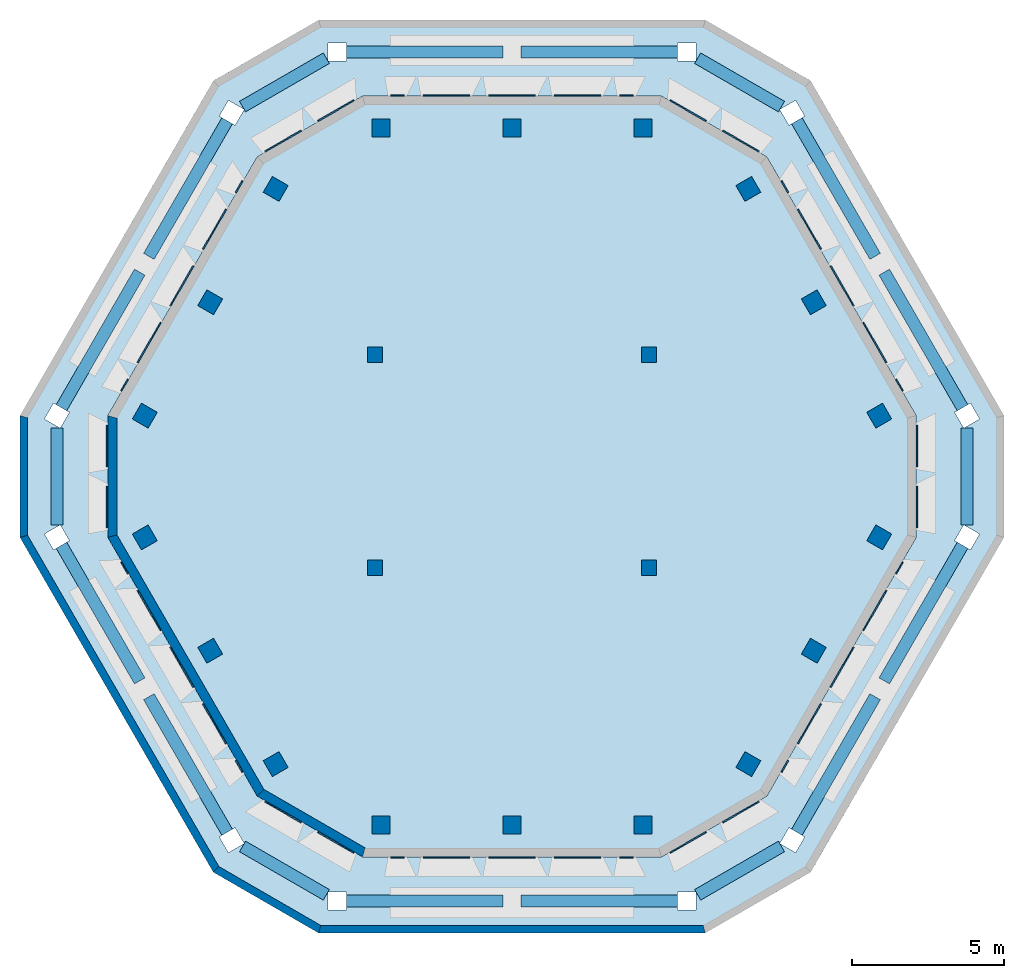
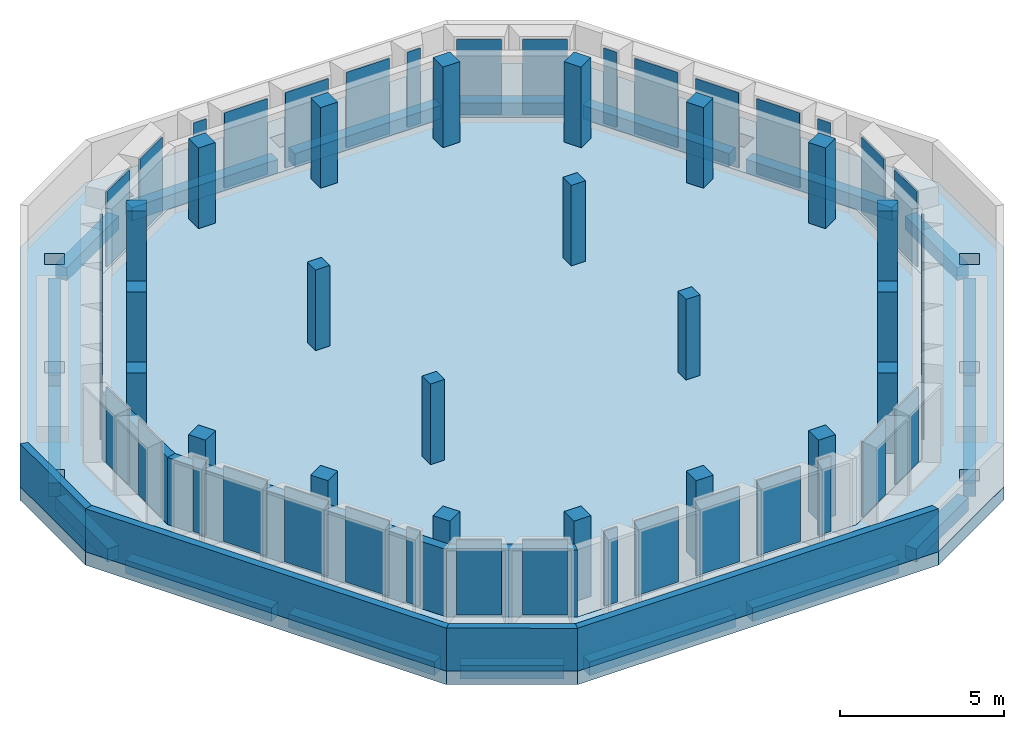
# One storey, part 1 of 4: 42 plates, 22 columns, 18 beams, 7 walls, 2 slabs.
"""IFC4 building model written with IfcOpenShell, lengths in metres."""

import ifcopenshell
import ifcopenshell.guid

model = None  # the IFC model being written
_history = None  # IfcOwnerHistory: only IFC2X3 demands one
_inside = {}  # id of a spatial element -> (the spatial element, [elements in it])
_under = {}  # id of a project, library or spatial element -> (it, [spatial elements below it])
_declared = {}  # id of a project -> (the project, [libraries it declares])
_typed = {}  # id of a type object -> (the type object, [elements of that type])
_made_of = {}  # id of a material, layer set ... -> (it, [elements and type objects made of it])


def new_model(schema):
    """Start an empty IFC model of exactly this schema.

    Asked for "IFC4X3", IfcOpenShell would pick the latest addendum, in which some entities
    have other attributes; the version numbers below select the first issue.
    IFC2X3 requires an IfcOwnerHistory on every rooted entity: one is made here for all.
    """
    global model, _history
    if schema == "IFC4X3":
        model = ifcopenshell.file(schema_version=(4, 3, 0, 0))
    else:
        model = ifcopenshell.file(schema=schema)
    _inside.clear()
    _under.clear()
    _declared.clear()
    _typed.clear()
    _made_of.clear()
    _history = None
    if model.schema == "IFC2X3":
        org = make("IfcOrganization", Name="unknown")
        user = make(
            "IfcPersonAndOrganization",
            ThePerson=make("IfcPerson", FamilyName="unknown"),
            TheOrganization=org,
        )
        app = make(
            "IfcApplication",
            ApplicationDeveloper=org,
            Version="unknown",
            ApplicationFullName="unknown",
            ApplicationIdentifier="unknown",
        )
        _history = make(
            "IfcOwnerHistory",
            OwningUser=user,
            OwningApplication=app,
            ChangeAction="ADDED",
            CreationDate=0,
        )
    return model


def make(cls, **values):
    """One entity of the class cls with the attributes given. An attribute that is None is left unset."""
    return model.create_entity(
        cls, **{name: value for name, value in values.items() if value is not None}
    )


def rooted(cls, **values):
    """An entity with a GlobalId (a new one), such as an element, a storey or a relation."""
    return make(cls, GlobalId=ifcopenshell.guid.new(), OwnerHistory=_history, **values)


def si_unit(unit_type, name, prefix=None):
    """IfcSIUnit, for example si_unit("LENGTHUNIT", "METRE", prefix="MILLI")."""
    return make("IfcSIUnit", UnitType=unit_type, Prefix=prefix, Name=name)


def assignment(units):
    """IfcUnitAssignment: the units of a project."""
    return None if units is None else make("IfcUnitAssignment", Units=units)


def point(xyz):
    """IfcCartesianPoint."""
    return None if xyz is None else make("IfcCartesianPoint", Coordinates=xyz)


def direction(xyz):
    """IfcDirection."""
    return None if xyz is None else make("IfcDirection", DirectionRatios=xyz)


def frame(location, z_axis=None, x_axis=None):
    """IfcAxis2Placement3D, a coordinate frame: its origin and axes. An axis left out is left unset."""
    return make(
        "IfcAxis2Placement3D",
        Location=point(location),
        Axis=direction(z_axis),
        RefDirection=direction(x_axis),
    )


def frame_2d(location, x_axis=None):
    """IfcAxis2Placement2D, a coordinate frame in the plane: its origin and x axis."""
    return make(
        "IfcAxis2Placement2D", Location=point(location), RefDirection=direction(x_axis)
    )


def origin():
    """The frame at (0, 0, 0) with its axes left unset."""
    return frame((0.0, 0.0, 0.0))


def origin_2d():
    """The frame at (0, 0) in the plane with its x axis left unset."""
    return frame_2d((0.0, 0.0))


def place(relative_to, where):
    """IfcLocalPlacement: puts the frame where relative to a parent placement (None: the world)."""
    return make(
        "IfcLocalPlacement", PlacementRelTo=relative_to, RelativePlacement=where
    )


def context(
    kind, dimensions, precision=None, world=None, true_north=None, identifier=None
):
    """IfcGeometricRepresentationContext, for example the 3D "Model" context."""
    return make(
        "IfcGeometricRepresentationContext",
        ContextIdentifier=identifier,
        ContextType=kind,
        CoordinateSpaceDimension=dimensions,
        Precision=precision,
        WorldCoordinateSystem=world,
        TrueNorth=true_north,
    )


def subcontext(parent, identifier, kind, view, scale=None):
    """IfcGeometricRepresentationSubContext, for example "Body" below "Model"."""
    return make(
        "IfcGeometricRepresentationSubContext",
        ContextIdentifier=identifier,
        ContextType=kind,
        ParentContext=parent,
        TargetScale=scale,
        TargetView=view,
    )


def project(units=None, contexts=None):
    """IfcProject with its units and contexts."""
    return rooted(
        "IfcProject",
        Name="project",
        RepresentationContexts=contexts,
        UnitsInContext=assignment(units),
    )


def spatial(cls, under=None, at=None, **own):
    """A site, building, storey or space (cls), placed at a placement, below another one or the project."""
    s = rooted(cls, ObjectPlacement=at, **own)
    if under is not None:
        _under.setdefault(under.id(), (under, []))[1].append(s)
    return s


def polyline(points):
    """IfcPolyline through the points."""
    return make("IfcPolyline", Points=[point(p) for p in points])


def profile(cls, at=None, kind="AREA", **sizes):
    """A parametric profile (cls). Its sizes go by their IFC names, for example OverallWidth=200.0."""
    return make(cls, ProfileType=kind, Position=at, **sizes)


def rectangle(**sizes):
    """IfcRectangleProfileDef."""
    return profile("IfcRectangleProfileDef", **sizes)


def outline(outer, holes=None, kind="AREA"):
    """IfcArbitraryClosedProfileDef: a profile drawn as a closed curve; with holes, ...WithVoids."""
    if holes is None:
        return make("IfcArbitraryClosedProfileDef", ProfileType=kind, OuterCurve=outer)
    return make(
        "IfcArbitraryProfileDefWithVoids",
        ProfileType=kind,
        OuterCurve=outer,
        InnerCurves=holes,
    )


def extrude(swept, where, along, depth):
    """IfcExtrudedAreaSolid: the profile swept, set in the frame where, extruded along a direction by depth."""
    return make(
        "IfcExtrudedAreaSolid",
        SweptArea=swept,
        Position=where,
        ExtrudedDirection=direction(along),
        Depth=depth,
    )


def shape(context_of_items, identifier, shape_type, items):
    """IfcShapeRepresentation: the items that make up one representation, for example the "Body"."""
    return make(
        "IfcShapeRepresentation",
        ContextOfItems=context_of_items,
        RepresentationIdentifier=identifier,
        RepresentationType=shape_type,
        Items=items,
    )


def source(mapping_origin, context_of_items, identifier, shape_type, items):
    """IfcRepresentationMap: a shape defined once, which mapped items show again and again."""
    return make(
        "IfcRepresentationMap",
        MappingOrigin=mapping_origin,
        MappedRepresentation=shape(context_of_items, identifier, shape_type, items),
    )


def transform(
    local_origin,
    x_axis=None,
    y_axis=None,
    z_axis=None,
    scale=None,
    scale2=None,
    scale3=None,
    uniform=True,
):
    """IfcCartesianTransformationOperator3D, or its non-uniform kind. x_axis, y_axis, z_axis: its Axis1, 2, 3."""
    if uniform:
        return make(
            "IfcCartesianTransformationOperator3D",
            Axis1=direction(x_axis),
            Axis2=direction(y_axis),
            LocalOrigin=point(local_origin),
            Scale=scale,
            Axis3=direction(z_axis),
        )
    return make(
        "IfcCartesianTransformationOperator3DnonUniform",
        Axis1=direction(x_axis),
        Axis2=direction(y_axis),
        LocalOrigin=point(local_origin),
        Scale=scale,
        Axis3=direction(z_axis),
        Scale2=scale2,
        Scale3=scale3,
    )


def mapped(mapping_source, mapping_target):
    """IfcMappedItem: shows the shape of a source again, moved by a transform."""
    return make(
        "IfcMappedItem", MappingSource=mapping_source, MappingTarget=mapping_target
    )


def material(Name=None, Category=None):
    """IfcMaterial."""
    return make("IfcMaterial", Name=Name, Category=Category)


def layer(
    of_material, thickness, ventilated=None, Name=None, Category=None, Priority=None
):
    """IfcMaterialLayer: one layer of a wall or slab, of a material (None: an air gap)."""
    return make(
        "IfcMaterialLayer",
        Material=of_material,
        LayerThickness=thickness,
        IsVentilated=ventilated,
        Name=Name,
        Category=Category,
        Priority=Priority,
    )


def layer_set(layers, Name=None):
    """IfcMaterialLayerSet."""
    return make("IfcMaterialLayerSet", MaterialLayers=layers, LayerSetName=Name)


def material_profile(
    of_material, cross_section, Name=None, Category=None, Priority=None
):
    """IfcMaterialProfile: a cross section and its material."""
    return make(
        "IfcMaterialProfile",
        Name=Name,
        Material=of_material,
        Profile=cross_section,
        Priority=Priority,
        Category=Category,
    )


def profile_set(profiles, Name=None, composite=None):
    """IfcMaterialProfileSet."""
    return make(
        "IfcMaterialProfileSet",
        Name=Name,
        MaterialProfiles=profiles,
        CompositeProfile=composite,
    )


def made_of(thing, what):
    """Note that an element or type object is made of a material, layer set ...; save() writes the relation."""
    if what is not None:
        _made_of.setdefault(what.id(), (what, []))[1].append(thing)
    return thing


def type_object(cls, material=None, **own):
    """A type object (cls), such as IfcWallType, which elements share."""
    return made_of(rooted(cls, **own), material)


def type_shapes(of_type, sources):
    """Give a type object the sources (RepresentationMaps) that its elements show as mapped items."""
    of_type.RepresentationMaps = sources


def element(
    cls,
    number,
    at=None,
    inside=None,
    cuts=None,
    type_object=None,
    material=None,
    context=None,
    identifier="Body",
    shape_type=None,
    held_by="IfcProductDefinitionShape",
    body=None,
    shapes=None,
    **own,
):
    """One element of the class cls, such as IfcWall. Its Tag is "e" and its number.

    at: its placement. inside: the storey or other place that contains it. cuts: it is an
    opening in that element (IfcRelVoidsElement). A single representation is given by context,
    identifier, shape_type and body (its items); several are given by shapes. held_by: the class
    of the entity that holds the representations. save() writes the other relations.
    """
    e = rooted(cls, Tag="e%d" % number, ObjectPlacement=at, **own)
    if body is not None:
        shapes = [shape(context, identifier, shape_type, body)]
    if shapes is not None:
        e.Representation = make(held_by, Representations=shapes)
    if inside is not None:
        _inside.setdefault(inside.id(), (inside, []))[1].append(e)
    if cuts is not None:
        rooted(
            "IfcRelVoidsElement", RelatingBuildingElement=cuts, RelatedOpeningElement=e
        )
    if type_object is not None:
        _typed.setdefault(type_object.id(), (type_object, []))[1].append(e)
    return made_of(e, material)


def aggregate(whole, parts):
    """IfcRelAggregates: a whole, such as a stair, and the parts it consists of."""
    return rooted("IfcRelAggregates", RelatingObject=whole, RelatedObjects=parts)


def save(model, path):
    """Write the relations noted so far, then the file.

    IfcRelAggregates (storeys below a building ...), IfcRelContainedInSpatialStructure (elements
    in a storey), IfcRelDefinesByType, IfcRelAssociatesMaterial and IfcRelDeclares: one each for
    every whole, place, type object, material and project.
    """
    for whole, parts in _under.values():
        aggregate(whole, parts)
    for where, things in _inside.values():
        rooted(
            "IfcRelContainedInSpatialStructure",
            RelatedElements=things,
            RelatingStructure=where,
        )
    for kind, things in _typed.values():
        rooted("IfcRelDefinesByType", RelatedObjects=things, RelatingType=kind)
    for what, things in _made_of.values():
        rooted("IfcRelAssociatesMaterial", RelatedObjects=things, RelatingMaterial=what)
    for by, libraries in _declared.values():
        rooted("IfcRelDeclares", RelatingContext=by, RelatedDefinitions=libraries)
    model.write(path)


model = new_model("IFC4")

# Units and contexts
model_context = context("Model", 3, precision=1e-05, world=origin(), true_north=direction((0.0, 1.0)))
body_context = subcontext(model_context, "Body", "Model", "MODEL_VIEW")
ifc_project = project(units=[si_unit("LENGTHUNIT", "METRE"), si_unit("AREAUNIT", "SQUARE_METRE"), si_unit("VOLUMEUNIT", "CUBIC_METRE"), si_unit("PLANEANGLEUNIT", "RADIAN"), si_unit("MASSUNIT", "GRAM", prefix="KILO")], contexts=[model_context])

# Site, building, storey
site_placement = place(None, origin())
site = spatial("IfcSite", under=ifc_project, at=site_placement, CompositionType="ELEMENT")
building_placement = place(site_placement, origin())
building = spatial("IfcBuilding", under=site, at=building_placement, Name="Beryl Residences", CompositionType="ELEMENT")
storey_placement = place(building_placement, frame((0.0, 0.0, 253.800048828125)))
storey = spatial("IfcBuildingStorey", under=building, at=storey_placement, Name="L79", CompositionType="ELEMENT", Elevation=253.800048828125)

# Columns
ifc_material_1 = material(Name="Concrete C50/60", Category="concrete")
ifc_material_profile_1 = material_profile(ifc_material_1, rectangle(XDim=0.60009765625, YDim=0.60009765625, at=origin_2d()))
ifc_profile_set_1 = profile_set([ifc_material_profile_1], Name="Concrete C50/60")
column_type_1 = type_object("IfcColumnType", Name="C6 tube column 600 x 600 C50/60", PredefinedType="COLUMN", material=ifc_profile_set_1)
for number, where, z_axis, x_axis, name in (
    (1, (4.302001953125, 11.449951171875, 0.0), (0.0, 0.0, 1.0), (-1.0, 0.0, 0.0), "C6-N1 L79"),
    (2, (0.0, 11.449951171875, 0.0), (0.0, 0.0, 1.0), (-1.0, 0.0, 0.0), "C6-N2 L79"),
    (3, (-4.302001953125, 11.449951171875, 0.0), (0.0, 0.0, 1.0), (-1.0, 0.0, 0.0), "C6-N3 L79"),
    (4, (-7.764892578125, 9.449951171875, 0.0), (0.0, 0.0, 1.0), (-0.5, -0.866025403784, 0.0), "C6-NW1 L79"),
    (5, (-9.916015625, 5.72509765625, 0.0), (0.0, 0.0, 1.0), (-0.5, -0.866025403784, 0.0), "C6-NW2 L79"),
    (6, (-12.06591796875, 2.0, 0.0), (0.0, 0.0, 1.0), (-0.5, -0.866025403784, 0.0), "C6-NW3 L79"),
    (7, (-12.06591796875, -2.0, 0.0), (0.0, 0.0, 1.0), (0.5, -0.866025403784, 0.0), "C6-SW1 L79"),
    (8, (-9.916015625, -5.72509765625, 0.0), (0.0, 0.0, 1.0), (0.5, -0.866025403784, 0.0), "C6-SW2 L79"),
    (9, (-7.764892578125, -9.449951171875, 0.0), (0.0, 0.0, 1.0), (0.5, -0.866025403784, 0.0), "C6-SW3 L79"),
    (10, (-4.302001953125, -11.449951171875, 0.0), (0.0, 0.0, 1.0), (1.0, 0.0, 0.0), "C6-S1 L79"),
    (11, (0.0, -11.449951171875, 0.0), (0.0, 0.0, 1.0), (1.0, 0.0, 0.0), "C6-S2 L79"),
    (12, (4.302001953125, -11.449951171875, 0.0), (0.0, 0.0, 1.0), (1.0, 0.0, 0.0), "C6-S3 L79"),
    (13, (7.764892578125, -9.449951171875, 0.0), (0.0, 0.0, 1.0), (0.5, 0.866025403784, 0.0), "C6-SE1 L79"),
    (14, (9.916015625, -5.72509765625, 0.0), (0.0, 0.0, 1.0), (0.5, 0.866025403784, 0.0), "C6-SE2 L79"),
    (15, (12.06591796875, -2.0, 0.0), (0.0, 0.0, 1.0), (0.5, 0.866025403784, 0.0), "C6-SE3 L79"),
    (16, (12.06591796875, 2.0, 0.0), (0.0, 0.0, 1.0), (-0.5, 0.866025403784, 0.0), "C6-NE1 L79"),
    (17, (9.916015625, 5.72509765625, 0.0), (0.0, 0.0, 1.0), (-0.5, 0.866025403784, 0.0), "C6-NE2 L79"),
    (18, (7.764892578125, 9.449951171875, 0.0), (0.0, 0.0, 1.0), (-0.5, 0.866025403784, 0.0), "C6-NE3 L79"),
):
    element("IfcColumn", number, at=place(storey_placement, frame(where, z_axis=z_axis, x_axis=x_axis)), inside=storey, type_object=column_type_1, Name=name, PredefinedType="COLUMN", context=body_context, shape_type="SweptSolid", body=[
        extrude(rectangle(XDim=0.60009765625, YDim=0.60009765625, at=origin_2d()), origin(), (0.0, 0.0, 1.0), 3.0),
    ])
ifc_material_2 = material(Name="Concrete C50/60", Category="concrete")
ifc_material_profile_2 = material_profile(ifc_material_2, rectangle(XDim=0.5, YDim=0.5, at=origin_2d()))
ifc_profile_set_2 = profile_set([ifc_material_profile_2], Name="Concrete C50/60")
column_type_2 = type_object("IfcColumnType", Name="IC6 interior column 500 x 500 C50/60", PredefinedType="COLUMN", material=ifc_profile_set_2)
for number, where, z_axis, x_axis, name in (
    (19, (-4.5, 4.0, 0.0), (0.0, 0.0, 1.0), (1.0, 0.0, 0.0), "IC6-K1 L79"),
    (20, (4.5, 4.0, 0.0), (0.0, 0.0, 1.0), (1.0, 0.0, 0.0), "IC6-K2 L79"),
    (21, (-4.5, -3.0, 0.0), (0.0, 0.0, 1.0), (1.0, 0.0, 0.0), "IC6-K3 L79"),
    (22, (4.5, -3.0, 0.0), (0.0, 0.0, 1.0), (1.0, 0.0, 0.0), "IC6-K4 L79"),
):
    element("IfcColumn", number, at=place(storey_placement, frame(where, z_axis=z_axis, x_axis=x_axis)), inside=storey, type_object=column_type_2, Name=name, PredefinedType="COLUMN", context=body_context, shape_type="SweptSolid", body=[
        extrude(rectangle(XDim=0.5, YDim=0.5, at=origin_2d()), origin(), (0.0, 0.0, 1.0), 3.0),
    ])

# Beams
ifc_material_3 = material(Name="Concrete C50/60", Category="concrete")
ifc_material_profile_3 = material_profile(ifc_material_3, rectangle(XDim=0.39990234375, YDim=0.5, at=origin_2d()))
ifc_profile_set_3 = profile_set([ifc_material_profile_3], Name="Concrete C50/60")
beam_type = type_object("IfcBeamType", Name="SB6 spandrel beam 400 x 500 C50/60", PredefinedType="SPANDREL", material=ifc_profile_set_3)
for number, where, z_axis, x_axis, name in (
    (23, (5.445068359375, 13.949951171875, -0.75), (-1.0, 0.0, 0.0), (0.0, -1.0, 0.0), "SB6 L79 N-0"),
    (24, (-0.300048828125, 13.949951171875, -0.75), (-1.0, 0.0, 0.0), (0.0, -1.0, 0.0), "SB6 L79 N-1"),
):
    element("IfcBeam", number, at=place(storey_placement, frame(where, z_axis=z_axis, x_axis=x_axis)), inside=storey, type_object=beam_type, Name=name, PredefinedType="SPANDREL", context=body_context, shape_type="SweptSolid", body=[
        extrude(rectangle(XDim=0.39990234375, YDim=0.5, at=origin_2d()), origin(), (0.0, 0.0, 1.0), 5.14501953125),
    ])
beam_1_placement = place(storey_placement, frame((-6.10009765625, 13.7451171875, -0.75), z_axis=(-0.866009148195, -0.50002815445, 0.0), x_axis=(0.50002815445, -0.866009148195, 0.0)))
element("IfcBeam", 25, at=beam_1_placement, inside=storey, type_object=beam_type, Name="SB6 L79 N-2", PredefinedType="SPANDREL", context=body_context, shape_type="SweptSolid", body=[
    extrude(rectangle(XDim=0.39990234375, YDim=0.5, at=origin_2d()), origin(), (0.0, 0.0, 1.0), 3.179931640625),
])
beam_2_placement = place(storey_placement, frame((-9.35888671875, 11.68994140625, -0.75), z_axis=(-0.500145553307, -0.865941352233, 0.0), x_axis=(0.865941352233, -0.500145553307, 0.0)))
element("IfcBeam", 26, at=beam_2_placement, inside=storey, type_object=beam_type, Name="SB6 L79 NW-0", PredefinedType="SPANDREL", context=body_context, shape_type="SweptSolid", body=[
    extrude(rectangle(XDim=0.39990234375, YDim=0.5, at=origin_2d()), origin(), (0.0, 0.0, 1.0), 5.14453125),
])
beam_3_placement = place(storey_placement, frame((-12.23193359375, 6.715087890625, -0.75), z_axis=(-0.499982640079, -0.866035426308, 0.0), x_axis=(0.866035426308, -0.499982640079, 0.0)))
element("IfcBeam", 27, at=beam_3_placement, inside=storey, type_object=beam_type, Name="SB6 L79 NW-1", PredefinedType="SPANDREL", context=body_context, shape_type="SweptSolid", body=[
    extrude(rectangle(XDim=0.39990234375, YDim=0.5, at=origin_2d()), origin(), (0.0, 0.0, 1.0), 5.144287109375),
])
beam_4_placement = place(storey_placement, frame((-14.9541015625, 1.590087890625, -0.75), z_axis=(0.0, -1.0, 0.0), x_axis=(1.0, 0.0, 0.0)))
element("IfcBeam", 28, at=beam_4_placement, inside=storey, type_object=beam_type, Name="SB6 L79 NW-2", PredefinedType="SPANDREL", context=body_context, shape_type="SweptSolid", body=[
    extrude(rectangle(XDim=0.39990234375, YDim=0.5, at=origin_2d()), origin(), (0.0, 0.0, 1.0), 3.18017578125),
])
beam_5_placement = place(storey_placement, frame((-14.803955078125, -2.260009765625, -0.75), z_axis=(0.499982640079, -0.866035426308, 0.0), x_axis=(0.866035426308, 0.499982640079, 0.0)))
element("IfcBeam", 29, at=beam_5_placement, inside=storey, type_object=beam_type, Name="SB6 L79 SW-0", PredefinedType="SPANDREL", context=body_context, shape_type="SweptSolid", body=[
    extrude(rectangle(XDim=0.39990234375, YDim=0.5, at=origin_2d()), origin(), (0.0, 0.0, 1.0), 5.144287109375),
])
beam_6_placement = place(storey_placement, frame((-11.931884765625, -7.235107421875, -0.75), z_axis=(0.500145553307, -0.865941352233, 0.0), x_axis=(0.865941352233, 0.500145553307, 0.0)))
element("IfcBeam", 30, at=beam_6_placement, inside=storey, type_object=beam_type, Name="SB6 L79 SW-1", PredefinedType="SPANDREL", context=body_context, shape_type="SweptSolid", body=[
    extrude(rectangle(XDim=0.39990234375, YDim=0.5, at=origin_2d()), origin(), (0.0, 0.0, 1.0), 5.14453125),
])
beam_7_placement = place(storey_placement, frame((-8.85400390625, -12.155029296875, -0.75), z_axis=(0.866009148195, -0.50002815445, 0.0), x_axis=(0.50002815445, 0.866009148195, 0.0)))
element("IfcBeam", 31, at=beam_7_placement, inside=storey, type_object=beam_type, Name="SB6 L79 SW-2", PredefinedType="SPANDREL", context=body_context, shape_type="SweptSolid", body=[
    extrude(rectangle(XDim=0.39990234375, YDim=0.5, at=origin_2d()), origin(), (0.0, 0.0, 1.0), 3.179931640625),
])
for number, where, z_axis, x_axis, name in (
    (32, (-5.445068359375, -13.949951171875, -0.75), (1.0, 0.0, 0.0), (0.0, 1.0, 0.0), "SB6 L79 S-0"),
    (33, (0.300048828125, -13.949951171875, -0.75), (1.0, 0.0, 0.0), (0.0, 1.0, 0.0), "SB6 L79 S-1"),
):
    element("IfcBeam", number, at=place(storey_placement, frame(where, z_axis=z_axis, x_axis=x_axis)), inside=storey, type_object=beam_type, Name=name, PredefinedType="SPANDREL", context=body_context, shape_type="SweptSolid", body=[
        extrude(rectangle(XDim=0.39990234375, YDim=0.5, at=origin_2d()), origin(), (0.0, 0.0, 1.0), 5.14501953125),
    ])
beam_8_placement = place(storey_placement, frame((6.10009765625, -13.7451171875, -0.75), z_axis=(0.866009148195, 0.50002815445, 0.0), x_axis=(-0.50002815445, 0.866009148195, 0.0)))
element("IfcBeam", 34, at=beam_8_placement, inside=storey, type_object=beam_type, Name="SB6 L79 S-2", PredefinedType="SPANDREL", context=body_context, shape_type="SweptSolid", body=[
    extrude(rectangle(XDim=0.39990234375, YDim=0.5, at=origin_2d()), origin(), (0.0, 0.0, 1.0), 3.179931640625),
])
beam_9_placement = place(storey_placement, frame((9.35888671875, -11.68994140625, -0.75), z_axis=(0.500145553307, 0.865941352233, 0.0), x_axis=(-0.865941352233, 0.500145553307, 0.0)))
element("IfcBeam", 35, at=beam_9_placement, inside=storey, type_object=beam_type, Name="SB6 L79 SE-0", PredefinedType="SPANDREL", context=body_context, shape_type="SweptSolid", body=[
    extrude(rectangle(XDim=0.39990234375, YDim=0.5, at=origin_2d()), origin(), (0.0, 0.0, 1.0), 5.14453125),
])
beam_10_placement = place(storey_placement, frame((12.23193359375, -6.715087890625, -0.75), z_axis=(0.499982640079, 0.866035426308, 0.0), x_axis=(-0.866035426308, 0.499982640079, 0.0)))
element("IfcBeam", 36, at=beam_10_placement, inside=storey, type_object=beam_type, Name="SB6 L79 SE-1", PredefinedType="SPANDREL", context=body_context, shape_type="SweptSolid", body=[
    extrude(rectangle(XDim=0.39990234375, YDim=0.5, at=origin_2d()), origin(), (0.0, 0.0, 1.0), 5.144287109375),
])
beam_11_placement = place(storey_placement, frame((14.9541015625, -1.590087890625, -0.75), z_axis=(0.0, 1.0, 0.0), x_axis=(-1.0, 0.0, 0.0)))
element("IfcBeam", 37, at=beam_11_placement, inside=storey, type_object=beam_type, Name="SB6 L79 SE-2", PredefinedType="SPANDREL", context=body_context, shape_type="SweptSolid", body=[
    extrude(rectangle(XDim=0.39990234375, YDim=0.5, at=origin_2d()), origin(), (0.0, 0.0, 1.0), 3.18017578125),
])
beam_12_placement = place(storey_placement, frame((14.803955078125, 2.260009765625, -0.75), z_axis=(-0.499982640079, 0.866035426308, 0.0), x_axis=(-0.866035426308, -0.499982640079, 0.0)))
element("IfcBeam", 38, at=beam_12_placement, inside=storey, type_object=beam_type, Name="SB6 L79 NE-0", PredefinedType="SPANDREL", context=body_context, shape_type="SweptSolid", body=[
    extrude(rectangle(XDim=0.39990234375, YDim=0.5, at=origin_2d()), origin(), (0.0, 0.0, 1.0), 5.144287109375),
])
beam_13_placement = place(storey_placement, frame((11.931884765625, 7.235107421875, -0.75), z_axis=(-0.500145553307, 0.865941352233, 0.0), x_axis=(-0.865941352233, -0.500145553307, 0.0)))
element("IfcBeam", 39, at=beam_13_placement, inside=storey, type_object=beam_type, Name="SB6 L79 NE-1", PredefinedType="SPANDREL", context=body_context, shape_type="SweptSolid", body=[
    extrude(rectangle(XDim=0.39990234375, YDim=0.5, at=origin_2d()), origin(), (0.0, 0.0, 1.0), 5.14453125),
])
beam_14_placement = place(storey_placement, frame((8.85400390625, 12.155029296875, -0.75), z_axis=(-0.866009148195, 0.50002815445, 0.0), x_axis=(-0.50002815445, -0.866009148195, 0.0)))
element("IfcBeam", 40, at=beam_14_placement, inside=storey, type_object=beam_type, Name="SB6 L79 NE-2", PredefinedType="SPANDREL", context=body_context, shape_type="SweptSolid", body=[
    extrude(rectangle(XDim=0.39990234375, YDim=0.5, at=origin_2d()), origin(), (0.0, 0.0, 1.0), 3.179931640625),
])

# Plates
ifc_material_4 = material(Name="Aluminium louvres", Category="aluminium")
ifc_layer_1 = layer(ifc_material_4, 0.050048828125)
ifc_layer_set_1 = layer_set([ifc_layer_1], Name="LV137 louvre panel 1370 x 2800 mm")
plate_type_1 = type_object("IfcPlateType", Name="LV137 louvre panel 1370 x 2800 mm", PredefinedType="SHEET", material=ifc_layer_set_1)
shared_shape_1 = source(origin(), body_context, "Body", "SweptSolid", [
    extrude(outline(polyline([(-0.68505859375, 0.0), (0.68505859375, 0.0), (0.68505859375, 0.050048828125), (-0.68505859375, 0.050048828125), (-0.68505859375, 0.0)])), origin(), (0.0, 0.0, 1.0), 2.800048828125),
])
type_shapes(plate_type_1, [shared_shape_1])
for number, where, z_axis, x_axis, name in (
    (41, (-5.77392578125, 12.0, 0.099853515625), (0.0, 0.0, 1.0), (0.866025403784, 0.5, 0.0), "LV137 louvre cell L79 N-NW 1"),
    (42, (-7.506103515625, 11.0, 0.099853515625), (0.0, 0.0, 1.0), (0.866025403784, 0.5, 0.0), "LV137 louvre cell L79 N-NW 2"),
    (43, (-13.279052734375, 1.0, 0.099853515625), (0.0, 0.0, 1.0), (0.0, 1.0, 0.0), "LV137 louvre cell L79 NW-SW 1"),
    (44, (-13.279052734375, -1.0, 0.099853515625), (0.0, 0.0, 1.0), (0.0, 1.0, 0.0), "LV137 louvre cell L79 NW-SW 2"),
    (45, (-7.506103515625, -11.0, 0.099853515625), (0.0, 0.0, 1.0), (-0.866025403784, 0.5, 0.0), "LV137 louvre cell L79 SW-S 1"),
    (46, (-5.77392578125, -12.0, 0.099853515625), (0.0, 0.0, 1.0), (-0.866025403784, 0.5, 0.0), "LV137 louvre cell L79 SW-S 2"),
    (47, (5.77392578125, -12.0, 0.099853515625), (0.0, 0.0, 1.0), (-0.866025403784, -0.5, 0.0), "LV137 louvre cell L79 S-SE 1"),
    (48, (7.506103515625, -11.0, 0.099853515625), (0.0, 0.0, 1.0), (-0.866025403784, -0.5, 0.0), "LV137 louvre cell L79 S-SE 2"),
    (49, (13.279052734375, -1.0, 0.099853515625), (0.0, 0.0, 1.0), (0.0, -1.0, 0.0), "LV137 louvre cell L79 SE-NE 1"),
    (50, (13.279052734375, 1.0, 0.099853515625), (0.0, 0.0, 1.0), (0.0, -1.0, 0.0), "LV137 louvre cell L79 SE-NE 2"),
    (51, (7.506103515625, 11.0, 0.099853515625), (0.0, 0.0, 1.0), (0.866025403784, -0.5, 0.0), "LV137 louvre cell L79 NE-N 1"),
    (52, (5.77392578125, 12.0, 0.099853515625), (0.0, 0.0, 1.0), (0.866025403784, -0.5, 0.0), "LV137 louvre cell L79 NE-N 2"),
):
    element("IfcPlate", number, at=place(storey_placement, frame(where, z_axis=z_axis, x_axis=x_axis)), inside=storey, type_object=plate_type_1, Name=name, PredefinedType="SHEET", context=body_context, shape_type="MappedRepresentation", body=[
        mapped(shared_shape_1, transform((0.0, 0.0, 0.0))),
    ])
ifc_material_5 = material(Name="Aluminium louvres", Category="aluminium")
ifc_layer_2 = layer(ifc_material_5, 0.050048828125)
ifc_layer_set_2 = layer_set([ifc_layer_2], Name="LV152 louvre panel 1520 x 2800 mm")
plate_type_2 = type_object("IfcPlateType", Name="LV152 louvre panel 1520 x 2800 mm", PredefinedType="SHEET", material=ifc_layer_set_2)
shared_shape_2 = source(origin(), body_context, "Body", "SweptSolid", [
    extrude(outline(polyline([(-0.760009765625, 0.0), (0.760009765625, 0.0), (0.760009765625, 0.050048828125), (-0.760009765625, 0.050048828125), (-0.760009765625, 0.0)])), origin(), (0.0, 0.0, 1.0), 2.800048828125),
])
type_shapes(plate_type_2, [shared_shape_2])
for number, where, z_axis, x_axis, name in (
    (53, (2.15087890625, 12.5, 0.099853515625), (0.0, 0.0, 1.0), (1.0, 0.0, 0.0), "LV152 louvre cell L79 N 2"),
    (54, (0.0, 12.5, 0.099853515625), (0.0, 0.0, 1.0), (1.0, 0.0, 0.0), "LV152 louvre cell L79 N 3"),
    (55, (-2.15087890625, 12.5, 0.099853515625), (0.0, 0.0, 1.0), (1.0, 0.0, 0.0), "LV152 louvre cell L79 N 4"),
    (56, (-9.75, 8.112060546875, 0.099853515625), (0.0, 0.0, 1.0), (0.5, 0.866025403784, 0.0), "LV152 louvre cell L79 NW 2"),
    (57, (-10.824951171875, 6.25, 0.099853515625), (0.0, 0.0, 1.0), (0.5, 0.866025403784, 0.0), "LV152 louvre cell L79 NW 3"),
    (58, (-11.89990234375, 4.387939453125, 0.099853515625), (0.0, 0.0, 1.0), (0.5, 0.866025403784, 0.0), "LV152 louvre cell L79 NW 4"),
    (59, (-11.89990234375, -4.387939453125, 0.099853515625), (0.0, 0.0, 1.0), (-0.5, 0.866025403784, 0.0), "LV152 louvre cell L79 SW 2"),
    (60, (-10.824951171875, -6.25, 0.099853515625), (0.0, 0.0, 1.0), (-0.5, 0.866025403784, 0.0), "LV152 louvre cell L79 SW 3"),
    (61, (-9.75, -8.112060546875, 0.099853515625), (0.0, 0.0, 1.0), (-0.5, 0.866025403784, 0.0), "LV152 louvre cell L79 SW 4"),
    (62, (-2.15087890625, -12.5, 0.099853515625), (0.0, 0.0, 1.0), (-1.0, 0.0, 0.0), "LV152 louvre cell L79 S 2"),
    (63, (0.0, -12.5, 0.099853515625), (0.0, 0.0, 1.0), (-1.0, 0.0, 0.0), "LV152 louvre cell L79 S 3"),
    (64, (2.15087890625, -12.5, 0.099853515625), (0.0, 0.0, 1.0), (-1.0, 0.0, 0.0), "LV152 louvre cell L79 S 4"),
    (65, (9.75, -8.112060546875, 0.099853515625), (0.0, 0.0, 1.0), (-0.5, -0.866025403784, 0.0), "LV152 louvre cell L79 SE 2"),
    (66, (10.824951171875, -6.25, 0.099853515625), (0.0, 0.0, 1.0), (-0.5, -0.866025403784, 0.0), "LV152 louvre cell L79 SE 3"),
    (67, (11.89990234375, -4.387939453125, 0.099853515625), (0.0, 0.0, 1.0), (-0.5, -0.866025403784, 0.0), "LV152 louvre cell L79 SE 4"),
    (68, (11.89990234375, 4.387939453125, 0.099853515625), (0.0, 0.0, 1.0), (0.5, -0.866025403784, 0.0), "LV152 louvre cell L79 NE 2"),
    (69, (10.824951171875, 6.25, 0.099853515625), (0.0, 0.0, 1.0), (0.5, -0.866025403784, 0.0), "LV152 louvre cell L79 NE 3"),
    (70, (9.75, 8.112060546875, 0.099853515625), (0.0, 0.0, 1.0), (0.5, -0.866025403784, 0.0), "LV152 louvre cell L79 NE 4"),
):
    element("IfcPlate", number, at=place(storey_placement, frame(where, z_axis=z_axis, x_axis=x_axis)), inside=storey, type_object=plate_type_2, Name=name, PredefinedType="SHEET", context=body_context, shape_type="MappedRepresentation", body=[
        mapped(shared_shape_2, transform((0.0, 0.0, 0.0))),
    ])
ifc_material_6 = material(Name="Aluminium louvres", Category="aluminium")
ifc_layer_3 = layer(ifc_material_6, 0.050048828125)
ifc_layer_set_3 = layer_set([ifc_layer_3], Name="LV45 louvre panel 450 x 2800 mm")
plate_type_3 = type_object("IfcPlateType", Name="LV45 louvre panel 450 x 2800 mm", PredefinedType="SHEET", material=ifc_layer_set_3)
shared_shape_3 = source(origin(), body_context, "Body", "SweptSolid", [
    extrude(outline(polyline([(-0.22509765625, 0.0), (0.22509765625, 0.0), (0.22509765625, 0.050048828125), (-0.22509765625, 0.050048828125), (-0.22509765625, 0.0)])), origin(), (0.0, 0.0, 1.0), 2.800048828125),
])
type_shapes(plate_type_3, [shared_shape_3])
for number, where, z_axis, x_axis, name in (
    (71, (3.763916015625, 12.5, 0.099853515625), (0.0, 0.0, 1.0), (1.0, 0.0, 0.0), "LV45 louvre cell L79 N 1"),
    (72, (-3.763916015625, 12.5, 0.099853515625), (0.0, 0.0, 1.0), (1.0, 0.0, 0.0), "LV45 louvre cell L79 N 5"),
    (73, (-8.943115234375, 9.509033203125, 0.099853515625), (0.0, 0.0, 1.0), (0.5, 0.866025403784, 0.0), "LV45 louvre cell L79 NW 1"),
    (74, (-12.70703125, 2.990966796875, 0.099853515625), (0.0, 0.0, 1.0), (0.5, 0.866025403784, 0.0), "LV45 louvre cell L79 NW 5"),
    (75, (-12.70703125, -2.990966796875, 0.099853515625), (0.0, 0.0, 1.0), (-0.5, 0.866025403784, 0.0), "LV45 louvre cell L79 SW 1"),
    (76, (-8.943115234375, -9.509033203125, 0.099853515625), (0.0, 0.0, 1.0), (-0.5, 0.866025403784, 0.0), "LV45 louvre cell L79 SW 5"),
    (77, (-3.763916015625, -12.5, 0.099853515625), (0.0, 0.0, 1.0), (-1.0, 0.0, 0.0), "LV45 louvre cell L79 S 1"),
    (78, (3.763916015625, -12.5, 0.099853515625), (0.0, 0.0, 1.0), (-1.0, 0.0, 0.0), "LV45 louvre cell L79 S 5"),
    (79, (8.943115234375, -9.509033203125, 0.099853515625), (0.0, 0.0, 1.0), (-0.5, -0.866025403784, 0.0), "LV45 louvre cell L79 SE 1"),
    (80, (12.70703125, -2.990966796875, 0.099853515625), (0.0, 0.0, 1.0), (-0.5, -0.866025403784, 0.0), "LV45 louvre cell L79 SE 5"),
    (81, (12.70703125, 2.990966796875, 0.099853515625), (0.0, 0.0, 1.0), (0.5, -0.866025403784, 0.0), "LV45 louvre cell L79 NE 1"),
    (82, (8.943115234375, 9.509033203125, 0.099853515625), (0.0, 0.0, 1.0), (0.5, -0.866025403784, 0.0), "LV45 louvre cell L79 NE 5"),
):
    element("IfcPlate", number, at=place(storey_placement, frame(where, z_axis=z_axis, x_axis=x_axis)), inside=storey, type_object=plate_type_3, Name=name, PredefinedType="SHEET", context=body_context, shape_type="MappedRepresentation", body=[
        mapped(shared_shape_3, transform((0.0, 0.0, 0.0))),
    ])

# Slabs
ifc_material_7 = material(Name="Concrete C60/75", Category="concrete")
ifc_layer_4 = layer(ifc_material_7, 0.5)
ifc_layer_set_4 = layer_set([ifc_layer_4], Name="SL15 transfer plate 500 mm C60/75")
slab_type_1 = type_object("IfcSlabType", Name="SL15 transfer plate 500 mm C60/75", PredefinedType="ROOF", material=ifc_layer_set_4)
slab_1_placement = place(storey_placement, frame((0.0, 0.0, -0.5)))
element("IfcSlab", 83, at=slab_1_placement, inside=storey, type_object=slab_type_1, Name="L79 slab 1", PredefinedType="ROOF", context=body_context, shape_type="SweptSolid", body=[
    extrude(outline(polyline([(13.279052734375, 2.0), (13.279052734375, -2.0), (8.3720703125, -10.5), (4.907958984375, -12.5), (-4.907958984375, -12.5), (-8.3720703125, -10.5), (-13.279052734375, -2.0), (-13.279052734375, 2.0), (-8.3720703125, 10.5), (-4.907958984375, 12.5), (4.907958984375, 12.5), (8.3720703125, 10.5), (13.279052734375, 2.0)]), holes=[polyline([(4.75, -2.75), (4.25, -2.75), (4.25, -3.25), (4.75, -3.25), (4.75, -2.75)]), polyline([(4.75, 4.25), (4.25, 4.25), (4.25, 3.75), (4.75, 3.75), (4.75, 4.25)]), polyline([(-4.25, -2.75), (-4.75, -2.75), (-4.75, -3.25), (-4.25, -3.25), (-4.25, -2.75)]), polyline([(-4.25, 4.25), (-4.75, 4.25), (-4.75, 3.75), (-4.25, 3.75), (-4.25, 4.25)])]), origin(), (0.0, 0.0, 1.0), 0.5),
])
ifc_material_8 = material(Name="Concrete C60/75", Category="concrete")
ifc_layer_5 = layer(ifc_material_8, 0.5)
ifc_layer_set_5 = layer_set([ifc_layer_5], Name="SL16 roof strip slab 500 mm C60/75")
slab_type_2 = type_object("IfcSlabType", Name="SL16 roof strip slab 500 mm C60/75", PredefinedType="ROOF", material=ifc_layer_set_5)
slab_2_placement = place(storey_placement, frame((0.0, 0.0, -0.5)))
element("IfcSlab", 84, at=slab_2_placement, inside=storey, type_object=slab_type_2, Name="roof L79 1 1", PredefinedType="ROOF", context=body_context, shape_type="SweptSolid", body=[
    extrude(outline(polyline([(16.166015625, -2.0), (9.81494140625, -13.0), (6.35107421875, -15.0), (-6.35107421875, -15.0), (-9.81494140625, -13.0), (-16.166015625, -2.0), (-16.166015625, 2.0), (-9.81494140625, 13.0), (-6.35107421875, 15.0), (6.35107421875, 15.0), (9.81494140625, 13.0), (16.166015625, 2.0), (16.166015625, -2.0)]), holes=[polyline([(14.843994140625, 1.590087890625), (15.364013671875, 1.889892578125), (15.06396484375, 2.409912109375), (14.5439453125, 2.110107421875), (14.843994140625, 1.590087890625)]), polyline([(14.5439453125, -2.110107421875), (15.06396484375, -2.409912109375), (15.364013671875, -1.889892578125), (14.843994140625, -1.590087890625), (14.5439453125, -2.110107421875)]), polyline([(4.908203125, 12.5009765625), (-4.907958984375, 12.5009765625), (-8.37255859375, 10.5009765625), (-13.27978515625, 2.00048828125), (-13.280029296875, -2.0), (-8.372802734375, -10.50048828125), (-4.908447265625, -12.5009765625), (4.907958984375, -12.5009765625), (8.37255859375, -10.5009765625), (13.27978515625, -2.00048828125), (13.280029296875, 2.0), (8.372802734375, 10.50048828125), (4.908203125, 12.5009765625)]), polyline([(11.672119140625, -7.0849609375), (12.19189453125, -7.385009765625), (12.491943359375, -6.864990234375), (11.971923828125, -6.56494140625), (11.672119140625, -7.0849609375)]), polyline([(11.971923828125, 6.56494140625), (12.491943359375, 6.864990234375), (12.19189453125, 7.385009765625), (11.672119140625, 7.0849609375), (11.971923828125, 6.56494140625)]), polyline([(9.09912109375, 11.5400390625), (9.618896484375, 11.840087890625), (9.319091796875, 12.360107421875), (8.799072265625, 12.06005859375), (9.09912109375, 11.5400390625)]), polyline([(9.319091796875, -12.360107421875), (9.618896484375, -11.840087890625), (9.09912109375, -11.5400390625), (8.799072265625, -12.06005859375), (9.319091796875, -12.360107421875)]), polyline([(5.445068359375, -14.25), (6.044921875, -14.25), (6.044921875, -13.64990234375), (5.445068359375, -13.64990234375), (5.445068359375, -14.25)]), polyline([(5.445068359375, 13.64990234375), (6.044921875, 13.64990234375), (6.044921875, 14.25), (5.445068359375, 14.25), (5.445068359375, 13.64990234375)]), polyline([(-0.300048828125, -14.25), (0.300048828125, -14.25), (0.300048828125, -13.64990234375), (-0.300048828125, -13.64990234375), (-0.300048828125, -14.25)]), polyline([(-0.300048828125, 13.64990234375), (0.300048828125, 13.64990234375), (0.300048828125, 14.25), (-0.300048828125, 14.25), (-0.300048828125, 13.64990234375)]), polyline([(-6.044921875, -14.25), (-5.445068359375, -14.25), (-5.445068359375, -13.64990234375), (-6.044921875, -13.64990234375), (-6.044921875, -14.25)]), polyline([(-6.044921875, 13.64990234375), (-5.445068359375, 13.64990234375), (-5.445068359375, 14.25), (-6.044921875, 14.25), (-6.044921875, 13.64990234375)]), polyline([(-9.618896484375, -11.840087890625), (-9.319091796875, -12.360107421875), (-8.799072265625, -12.06005859375), (-9.09912109375, -11.5400390625), (-9.618896484375, -11.840087890625)]), polyline([(-8.799072265625, 12.06005859375), (-9.319091796875, 12.360107421875), (-9.618896484375, 11.840087890625), (-9.09912109375, 11.5400390625), (-8.799072265625, 12.06005859375)]), polyline([(-11.672119140625, 7.0849609375), (-12.19189453125, 7.385009765625), (-12.491943359375, 6.864990234375), (-11.971923828125, 6.56494140625), (-11.672119140625, 7.0849609375)]), polyline([(-11.971923828125, -6.56494140625), (-12.491943359375, -6.864990234375), (-12.19189453125, -7.385009765625), (-11.672119140625, -7.0849609375), (-11.971923828125, -6.56494140625)]), polyline([(-14.843994140625, -1.590087890625), (-15.364013671875, -1.889892578125), (-15.06396484375, -2.409912109375), (-14.5439453125, -2.110107421875), (-14.843994140625, -1.590087890625)]), polyline([(-14.5439453125, 2.110107421875), (-15.06396484375, 2.409912109375), (-15.364013671875, 1.889892578125), (-14.843994140625, 1.590087890625), (-14.5439453125, 2.110107421875)])]), origin(), (0.0, 0.0, 1.0), 0.5),
])

# Walls
ifc_material_9 = material(Name="Composite metal panel with mineral wool insulation")
ifc_layer_6 = layer(ifc_material_9, 0.300048828125)
ifc_layer_set_6 = layer_set([ifc_layer_6], Name="ES1 pale metal composite panel wall 300 mm")
wall_type_1 = type_object("IfcWallType", Name="ES1 pale metal composite panel wall 300 mm", PredefinedType="SOLIDWALL", material=ifc_layer_set_6)
wall_1_placement = place(storey_placement, frame((-13.12890625, 2.0, 0.0), z_axis=(0.0, 0.0, 1.0), x_axis=(0.0, -1.0, 0.0)))
element("IfcWall", 85, at=wall_1_placement, inside=storey, type_object=wall_type_1, Name="ES1 external wall L79 NW-SW", PredefinedType="SOLIDWALL", context=body_context, shape_type="SweptSolid", body=[
    extrude(outline(polyline([(0.0, -0.14990234375), (4.0, -0.14990234375), (3.919677734375, 0.14990234375), (0.080322265625, 0.14990234375), (0.0, -0.14990234375)])), origin(), (0.0, 0.0, 1.0), 2.5),
])
wall_2_placement = place(storey_placement, frame((-13.14892578125, -1.925048828125, 0.0), z_axis=(0.0, 0.0, 1.0), x_axis=(0.499962183858, -0.866047235843, 0.0)))
element("IfcWall", 86, at=wall_2_placement, inside=storey, type_object=wall_type_1, Name="ES1 external wall L79 SW", PredefinedType="SOLIDWALL", context=body_context, shape_type="SweptSolid", body=[
    extrude(outline(polyline([(0.0, -0.14990234375), (9.814697265625, -0.14990234375), (9.734375, 0.14990234375), (0.080322265625, 0.14990234375), (0.0, -0.14990234375)])), origin(), (0.0, 0.0, 1.0), 2.5),
])
wall_3_placement = place(storey_placement, frame((-8.297119140625, -10.3701171875, 0.0), z_axis=(0.0, 0.0, 1.0), x_axis=(0.866026010844, -0.49999894854, 0.0)))
element("IfcWall", 87, at=wall_3_placement, inside=storey, type_object=wall_type_1, Name="ES1 external wall L79 SW-S", PredefinedType="SOLIDWALL", context=body_context, shape_type="SweptSolid", body=[
    extrude(outline(polyline([(0.0, -0.14990234375), (4.0, -0.14990234375), (3.919677734375, 0.14990234375), (0.080322265625, 0.14990234375), (0.0, -0.14990234375)])), origin(), (0.0, 0.0, 1.0), 2.5),
])
ifc_material_10 = material(Name="Precast concrete C40/50", Category="concrete")
ifc_layer_7 = layer(ifc_material_10, 0.25)
ifc_layer_set_7 = layer_set([ifc_layer_7], Name="PA1 roof parapet 250 mm")
wall_type_2 = type_object("IfcWallType", Name="PA1 roof parapet 250 mm", PredefinedType="PARAPET", material=ifc_layer_set_7)
wall_4_placement = place(storey_placement, frame((6.35205078125, -14.875, 0.0), z_axis=(0.0, 0.0, 1.0), x_axis=(-1.0, 0.0, 0.0)))
element("IfcWall", 88, at=wall_4_placement, inside=storey, type_object=wall_type_2, Name="PA1 parapet L79 strip 6", PredefinedType="PARAPET", context=body_context, shape_type="SweptSolid", body=[
    extrude(outline(polyline([(0.067138671875, -0.125), (12.636962890625, -0.125), (12.7041015625, 0.125), (0.0, 0.125), (0.067138671875, -0.125)])), origin(), (0.0, 0.0, 1.0), 1.599853515625),
])
wall_5_placement = place(storey_placement, frame((-6.2890625, -14.89208984375, 0.0), z_axis=(0.0, 0.0, 1.0), x_axis=(-0.865843918487, 0.50031421009, 0.0)))
element("IfcWall", 89, at=wall_5_placement, inside=storey, type_object=wall_type_2, Name="PA1 parapet L79 strip 7", PredefinedType="PARAPET", context=body_context, shape_type="SweptSolid", body=[
    extrude(outline(polyline([(0.067138671875, -0.125), (3.9326171875, -0.125), (3.99951171875, 0.125), (0.0, 0.125), (0.067138671875, -0.125)])), origin(), (0.0, 0.0, 1.0), 1.599853515625),
])
wall_6_placement = place(storey_placement, frame((-9.7060546875, -12.93701171875, 0.0), z_axis=(0.0, 0.0, 1.0), x_axis=(-0.500104018228, 0.865965340503, 0.0)))
element("IfcWall", 90, at=wall_6_placement, inside=storey, type_object=wall_type_2, Name="PA1 parapet L79 strip 8", PredefinedType="PARAPET", context=body_context, shape_type="SweptSolid", body=[
    extrude(outline(polyline([(0.06689453125, -0.125), (12.634521484375, -0.125), (12.701416015625, 0.125), (0.0, 0.125), (0.06689453125, -0.125)])), origin(), (0.0, 0.0, 1.0), 1.599853515625),
])
wall_7_placement = place(storey_placement, frame((-16.041015625, -2.0, 0.0), z_axis=(0.0, 0.0, 1.0), x_axis=(0.0, 1.0, 0.0)))
element("IfcWall", 91, at=wall_7_placement, inside=storey, type_object=wall_type_2, Name="PA1 parapet L79 strip 9", PredefinedType="PARAPET", context=body_context, shape_type="SweptSolid", body=[
    extrude(outline(polyline([(0.06689453125, -0.125), (3.93310546875, -0.125), (4.0, 0.125), (0.0, 0.125), (0.06689453125, -0.125)])), origin(), (0.0, 0.0, 1.0), 1.599853515625),
])

save(model, "model.ifc")
